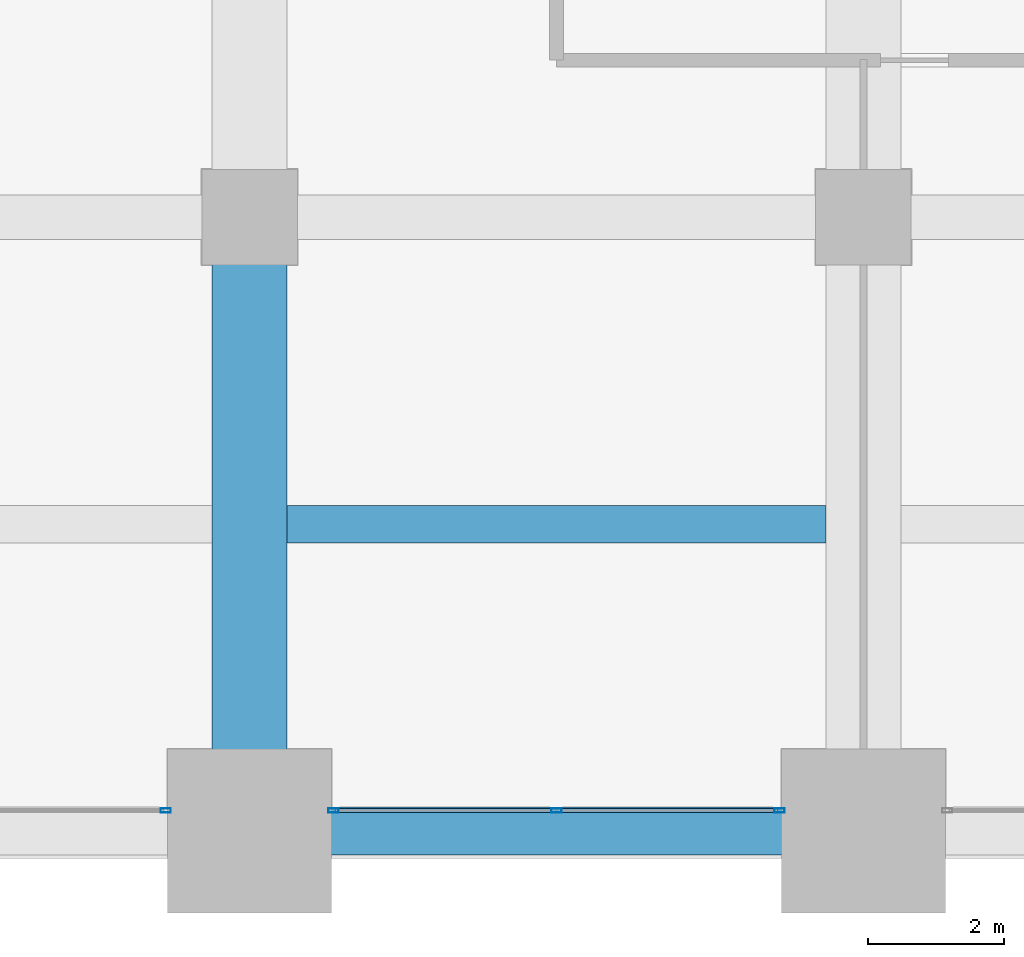
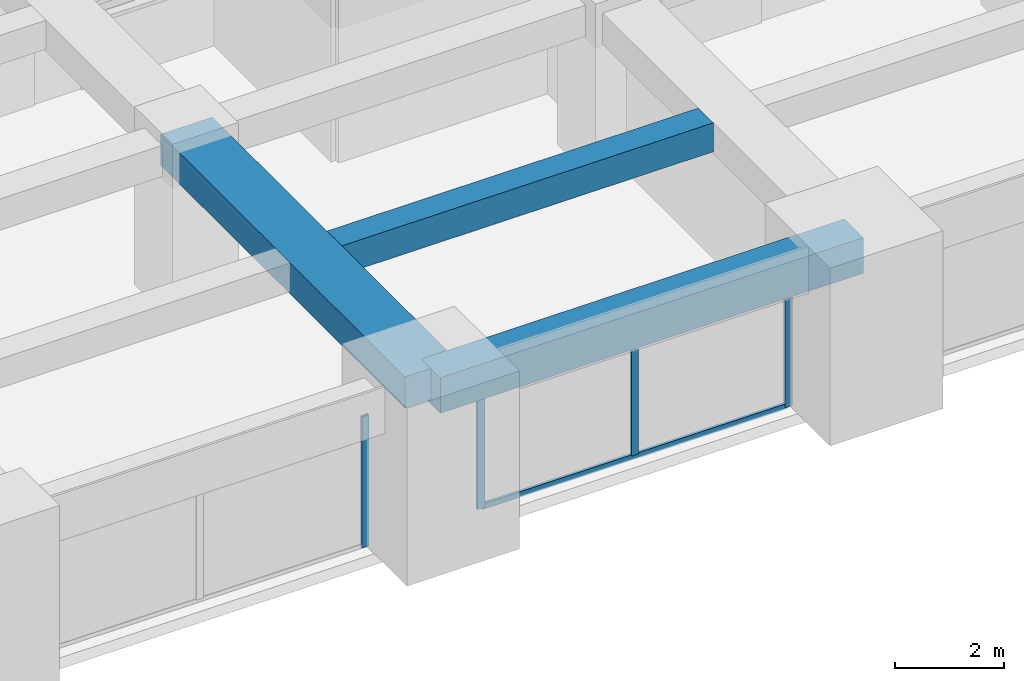
# One storey, part 6 of 32: 5 members, 3 beams, 2 elements without a shape of their own.
"""IFC4 building model written with IfcOpenShell, lengths in metres."""

import ifcopenshell
import ifcopenshell.guid

model = None  # the IFC model being written
_history = None  # IfcOwnerHistory: only IFC2X3 demands one
_inside = {}  # id of a spatial element -> (the spatial element, [elements in it])
_under = {}  # id of a project, library or spatial element -> (it, [spatial elements below it])
_declared = {}  # id of a project -> (the project, [libraries it declares])
_typed = {}  # id of a type object -> (the type object, [elements of that type])
_made_of = {}  # id of a material, layer set ... -> (it, [elements and type objects made of it])


def new_model(schema):
    """Start an empty IFC model of exactly this schema.

    Asked for "IFC4X3", IfcOpenShell would pick the latest addendum, in which some entities
    have other attributes; the version numbers below select the first issue.
    IFC2X3 requires an IfcOwnerHistory on every rooted entity: one is made here for all.
    """
    global model, _history
    if schema == "IFC4X3":
        model = ifcopenshell.file(schema_version=(4, 3, 0, 0))
    else:
        model = ifcopenshell.file(schema=schema)
    _inside.clear()
    _under.clear()
    _declared.clear()
    _typed.clear()
    _made_of.clear()
    _history = None
    if model.schema == "IFC2X3":
        org = make("IfcOrganization", Name="unknown")
        user = make(
            "IfcPersonAndOrganization",
            ThePerson=make("IfcPerson", FamilyName="unknown"),
            TheOrganization=org,
        )
        app = make(
            "IfcApplication",
            ApplicationDeveloper=org,
            Version="unknown",
            ApplicationFullName="unknown",
            ApplicationIdentifier="unknown",
        )
        _history = make(
            "IfcOwnerHistory",
            OwningUser=user,
            OwningApplication=app,
            ChangeAction="ADDED",
            CreationDate=0,
        )
    return model


def make(cls, **values):
    """One entity of the class cls with the attributes given. An attribute that is None is left unset."""
    return model.create_entity(
        cls, **{name: value for name, value in values.items() if value is not None}
    )


def rooted(cls, **values):
    """An entity with a GlobalId (a new one), such as an element, a storey or a relation."""
    return make(cls, GlobalId=ifcopenshell.guid.new(), OwnerHistory=_history, **values)


def si_unit(unit_type, name, prefix=None):
    """IfcSIUnit, for example si_unit("LENGTHUNIT", "METRE", prefix="MILLI")."""
    return make("IfcSIUnit", UnitType=unit_type, Prefix=prefix, Name=name)


def assignment(units):
    """IfcUnitAssignment: the units of a project."""
    return None if units is None else make("IfcUnitAssignment", Units=units)


def point(xyz):
    """IfcCartesianPoint."""
    return None if xyz is None else make("IfcCartesianPoint", Coordinates=xyz)


def direction(xyz):
    """IfcDirection."""
    return None if xyz is None else make("IfcDirection", DirectionRatios=xyz)


def frame(location, z_axis=None, x_axis=None):
    """IfcAxis2Placement3D, a coordinate frame: its origin and axes. An axis left out is left unset."""
    return make(
        "IfcAxis2Placement3D",
        Location=point(location),
        Axis=direction(z_axis),
        RefDirection=direction(x_axis),
    )


def frame_2d(location, x_axis=None):
    """IfcAxis2Placement2D, a coordinate frame in the plane: its origin and x axis."""
    return make(
        "IfcAxis2Placement2D", Location=point(location), RefDirection=direction(x_axis)
    )


def origin():
    """The frame at (0, 0, 0) with its axes left unset."""
    return frame((0.0, 0.0, 0.0))


def origin_2d():
    """The frame at (0, 0) in the plane with its x axis left unset."""
    return frame_2d((0.0, 0.0))


def place(relative_to, where):
    """IfcLocalPlacement: puts the frame where relative to a parent placement (None: the world)."""
    return make(
        "IfcLocalPlacement", PlacementRelTo=relative_to, RelativePlacement=where
    )


def context(
    kind, dimensions, precision=None, world=None, true_north=None, identifier=None
):
    """IfcGeometricRepresentationContext, for example the 3D "Model" context."""
    return make(
        "IfcGeometricRepresentationContext",
        ContextIdentifier=identifier,
        ContextType=kind,
        CoordinateSpaceDimension=dimensions,
        Precision=precision,
        WorldCoordinateSystem=world,
        TrueNorth=true_north,
    )


def subcontext(parent, identifier, kind, view, scale=None):
    """IfcGeometricRepresentationSubContext, for example "Body" below "Model"."""
    return make(
        "IfcGeometricRepresentationSubContext",
        ContextIdentifier=identifier,
        ContextType=kind,
        ParentContext=parent,
        TargetScale=scale,
        TargetView=view,
    )


def project(units=None, contexts=None):
    """IfcProject with its units and contexts."""
    return rooted(
        "IfcProject",
        Name="project",
        RepresentationContexts=contexts,
        UnitsInContext=assignment(units),
    )


def spatial(cls, under=None, at=None, **own):
    """A site, building, storey or space (cls), placed at a placement, below another one or the project."""
    s = rooted(cls, ObjectPlacement=at, **own)
    if under is not None:
        _under.setdefault(under.id(), (under, []))[1].append(s)
    return s


def profile(cls, at=None, kind="AREA", **sizes):
    """A parametric profile (cls). Its sizes go by their IFC names, for example OverallWidth=200.0."""
    return make(cls, ProfileType=kind, Position=at, **sizes)


def rectangle(**sizes):
    """IfcRectangleProfileDef."""
    return profile("IfcRectangleProfileDef", **sizes)


def hollow_rectangle(**sizes):
    """IfcRectangleHollowProfileDef."""
    return profile("IfcRectangleHollowProfileDef", **sizes)


def extrude(swept, where, along, depth):
    """IfcExtrudedAreaSolid: the profile swept, set in the frame where, extruded along a direction by depth."""
    return make(
        "IfcExtrudedAreaSolid",
        SweptArea=swept,
        Position=where,
        ExtrudedDirection=direction(along),
        Depth=depth,
    )


def shape(context_of_items, identifier, shape_type, items):
    """IfcShapeRepresentation: the items that make up one representation, for example the "Body"."""
    return make(
        "IfcShapeRepresentation",
        ContextOfItems=context_of_items,
        RepresentationIdentifier=identifier,
        RepresentationType=shape_type,
        Items=items,
    )


def material(Name=None, Category=None):
    """IfcMaterial."""
    return make("IfcMaterial", Name=Name, Category=Category)


def material_profile(
    of_material, cross_section, Name=None, Category=None, Priority=None
):
    """IfcMaterialProfile: a cross section and its material."""
    return make(
        "IfcMaterialProfile",
        Name=Name,
        Material=of_material,
        Profile=cross_section,
        Priority=Priority,
        Category=Category,
    )


def profile_set(profiles, Name=None, composite=None):
    """IfcMaterialProfileSet."""
    return make(
        "IfcMaterialProfileSet",
        Name=Name,
        MaterialProfiles=profiles,
        CompositeProfile=composite,
    )


def made_of(thing, what):
    """Note that an element or type object is made of a material, layer set ...; save() writes the relation."""
    if what is not None:
        _made_of.setdefault(what.id(), (what, []))[1].append(thing)
    return thing


def type_object(cls, material=None, **own):
    """A type object (cls), such as IfcWallType, which elements share."""
    return made_of(rooted(cls, **own), material)


def element(
    cls,
    number,
    at=None,
    inside=None,
    cuts=None,
    type_object=None,
    material=None,
    context=None,
    identifier="Body",
    shape_type=None,
    held_by="IfcProductDefinitionShape",
    body=None,
    shapes=None,
    **own,
):
    """One element of the class cls, such as IfcWall. Its Tag is "e" and its number.

    at: its placement. inside: the storey or other place that contains it. cuts: it is an
    opening in that element (IfcRelVoidsElement). A single representation is given by context,
    identifier, shape_type and body (its items); several are given by shapes. held_by: the class
    of the entity that holds the representations. save() writes the other relations.
    """
    e = rooted(cls, Tag="e%d" % number, ObjectPlacement=at, **own)
    if body is not None:
        shapes = [shape(context, identifier, shape_type, body)]
    if shapes is not None:
        e.Representation = make(held_by, Representations=shapes)
    if inside is not None:
        _inside.setdefault(inside.id(), (inside, []))[1].append(e)
    if cuts is not None:
        rooted(
            "IfcRelVoidsElement", RelatingBuildingElement=cuts, RelatedOpeningElement=e
        )
    if type_object is not None:
        _typed.setdefault(type_object.id(), (type_object, []))[1].append(e)
    return made_of(e, material)


def aggregate(whole, parts):
    """IfcRelAggregates: a whole, such as a stair, and the parts it consists of."""
    return rooted("IfcRelAggregates", RelatingObject=whole, RelatedObjects=parts)


def save(model, path):
    """Write the relations noted so far, then the file.

    IfcRelAggregates (storeys below a building ...), IfcRelContainedInSpatialStructure (elements
    in a storey), IfcRelDefinesByType, IfcRelAssociatesMaterial and IfcRelDeclares: one each for
    every whole, place, type object, material and project.
    """
    for whole, parts in _under.values():
        aggregate(whole, parts)
    for where, things in _inside.values():
        rooted(
            "IfcRelContainedInSpatialStructure",
            RelatedElements=things,
            RelatingStructure=where,
        )
    for kind, things in _typed.values():
        rooted("IfcRelDefinesByType", RelatedObjects=things, RelatingType=kind)
    for what, things in _made_of.values():
        rooted("IfcRelAssociatesMaterial", RelatedObjects=things, RelatingMaterial=what)
    for by, libraries in _declared.values():
        rooted("IfcRelDeclares", RelatingContext=by, RelatedDefinitions=libraries)
    model.write(path)


model = new_model("IFC4")

# Units and contexts
model_context = context("Model", 3, precision=1e-05, world=origin(), true_north=direction((0.0, 1.0)))
body_context = subcontext(model_context, "Body", "Model", "MODEL_VIEW")
ifc_project = project(units=[si_unit("LENGTHUNIT", "METRE"), si_unit("AREAUNIT", "SQUARE_METRE"), si_unit("VOLUMEUNIT", "CUBIC_METRE"), si_unit("PLANEANGLEUNIT", "RADIAN"), si_unit("MASSUNIT", "GRAM", prefix="KILO")], contexts=[model_context])

# Site, building, storey
site_placement = place(None, origin())
site = spatial("IfcSite", under=ifc_project, at=site_placement, CompositionType="ELEMENT")
building_placement = place(site_placement, origin())
building = spatial("IfcBuilding", under=site, at=building_placement, Name="Zorevar Civic Tower", CompositionType="ELEMENT")
storey_placement = place(building_placement, frame((0.0, 0.0, 198.199951171875)))
storey = spatial("IfcBuildingStorey", under=building, at=storey_placement, Name="L48", CompositionType="ELEMENT", Elevation=198.199951171875)

# Beams
ifc_material_1 = material(Name="Concrete C50/60", Category="concrete")
ifc_material_profile_1 = material_profile(ifc_material_1, rectangle(XDim=1.10009765625, YDim=0.699951171875, at=origin_2d()), Name="RC 1100x700")
ifc_profile_set_1 = profile_set([ifc_material_profile_1], Name="Concrete C50/60")
beam_type_1 = type_object("IfcBeamType", Name="Beam RC 1100x700", PredefinedType="BEAM", material=ifc_profile_set_1)
beam_1_placement = place(storey_placement, frame((18.0, 0.0, 3.400146484375), z_axis=(0.0, 1.0, 0.0), x_axis=(-1.0, 0.0, 0.0)))
element("IfcBeam", 1, at=beam_1_placement, inside=storey, type_object=beam_type_1, Name="Girder L49", PredefinedType="BEAM", context=body_context, shape_type="SweptSolid", body=[
    extrude(rectangle(XDim=1.10009765625, YDim=0.699951171875, at=origin_2d()), origin(), (0.0, 0.0, 1.0), 9.0),
])
ifc_material_2 = material(Name="Concrete C50/60", Category="concrete")
ifc_material_profile_2 = material_profile(ifc_material_2, rectangle(XDim=0.550048828125, YDim=0.64990234375, at=origin_2d()), Name="RC 550x650")
ifc_profile_set_2 = profile_set([ifc_material_profile_2], Name="Concrete C50/60")
beam_type_2 = type_object("IfcBeamType", Name="Beam RC 550x650", PredefinedType="BEAM", material=ifc_profile_set_2)
beam_2_placement = place(storey_placement, frame((18.550048828125, 4.5, 3.425048828125), z_axis=(1.0, 0.0, 0.0), x_axis=(0.0, 1.0, 0.0)))
element("IfcBeam", 2, at=beam_2_placement, inside=storey, type_object=beam_type_2, Name="Secondary beam L49", PredefinedType="BEAM", context=body_context, shape_type="SweptSolid", body=[
    extrude(rectangle(XDim=0.550048828125, YDim=0.64990234375, at=origin_2d()), origin(), (0.0, 0.0, 1.0), 7.89990234375),
])

# Curtain wall, member
ifc_material_3 = material(Name="Dark grey solar-control glass in black aluminium frame", Category="aluminium")
curtain_wall_type = type_object("IfcCurtainWallType", Name="Curtain wall CW4 high zone", PredefinedType="NOTDEFINED", material=ifc_material_3)
curtain_wall_1_placement = place(storey_placement, origin())
curtain_wall_1 = element("IfcCurtainWall", 3, at=curtain_wall_1_placement, inside=storey, type_object=curtain_wall_type, Name="CW4 L48", PredefinedType="NOTDEFINED")
ifc_material_4 = material(Name="Aluminium, black anodised", Category="aluminium")
ifc_material_profile_3 = material_profile(ifc_material_4, hollow_rectangle(XDim=0.06005859375, YDim=0.14990234375, WallThickness=0.00390625, at=origin_2d()), Name="AL 150x60x4")
ifc_profile_set_3 = profile_set([ifc_material_profile_3], Name="Aluminium, black anodised")
member_type_1 = type_object("IfcMemberType", Name="CW4 mullion AL 150x60x4", PredefinedType="MULLION", material=ifc_profile_set_3)
member_1_placement = place(storey_placement, frame((16.77001953125, 0.300048828125, 0.0), z_axis=(0.0, 0.0, 1.0), x_axis=(0.0, 1.0, 0.0)))
member_1 = element("IfcMember", 4, at=member_1_placement, type_object=member_type_1, Name="CW4 mullion 3", PredefinedType="MULLION", context=body_context, shape_type="SweptSolid", body=[
    extrude(hollow_rectangle(XDim=0.06005859375, YDim=0.14990234375, WallThickness=0.00390625, at=origin_2d()), origin(), (0.0, 0.0, 1.0), 2.949951171875),
])
aggregate(curtain_wall_1, [member_1])

# Curtain wall, members
curtain_wall_2_placement = place(storey_placement, origin())
curtain_wall_2 = element("IfcCurtainWall", 5, at=curtain_wall_2_placement, inside=storey, type_object=curtain_wall_type, Name="CW4 L48", PredefinedType="NOTDEFINED")
member_2_placement = place(storey_placement, frame((19.22998046875, 0.300048828125, 0.0), z_axis=(0.0, 0.0, 1.0), x_axis=(0.0, 1.0, 0.0)))
member_2 = element("IfcMember", 6, at=member_2_placement, type_object=member_type_1, Name="CW4 mullion 1", PredefinedType="MULLION", context=body_context, shape_type="SweptSolid", body=[
    extrude(hollow_rectangle(XDim=0.06005859375, YDim=0.14990234375, WallThickness=0.00390625, at=origin_2d()), origin(), (0.0, 0.0, 1.0), 2.949951171875),
])
member_3_placement = place(storey_placement, frame((22.5, 0.300048828125, 0.06005859375), z_axis=(0.0, 0.0, 1.0), x_axis=(0.0, 1.0, 0.0)))
member_3 = element("IfcMember", 7, at=member_3_placement, type_object=member_type_1, Name="CW4 mullion 2", PredefinedType="MULLION", context=body_context, shape_type="SweptSolid", body=[
    extrude(hollow_rectangle(XDim=0.06005859375, YDim=0.14990234375, WallThickness=0.00390625, at=origin_2d()), origin(), (0.0, 0.0, 1.0), 2.889892578125),
])
member_4_placement = place(storey_placement, frame((25.77001953125, 0.300048828125, 0.0), z_axis=(0.0, 0.0, 1.0), x_axis=(0.0, 1.0, 0.0)))
member_4 = element("IfcMember", 8, at=member_4_placement, type_object=member_type_1, Name="CW4 mullion 3", PredefinedType="MULLION", context=body_context, shape_type="SweptSolid", body=[
    extrude(hollow_rectangle(XDim=0.06005859375, YDim=0.14990234375, WallThickness=0.00390625, at=origin_2d()), origin(), (0.0, 0.0, 1.0), 2.949951171875),
])
ifc_material_5 = material(Name="Aluminium, black anodised", Category="aluminium")
ifc_material_profile_4 = material_profile(ifc_material_5, hollow_rectangle(XDim=0.06005859375, YDim=0.1201171875, WallThickness=0.0029296875, at=origin_2d()), Name="AL 120x60x3")
ifc_profile_set_4 = profile_set([ifc_material_profile_4], Name="Aluminium, black anodised")
member_type_2 = type_object("IfcMemberType", Name="CW4 transom AL 120x60x3", PredefinedType="USERDEFINED", material=ifc_profile_set_4)
member_5_placement = place(storey_placement, frame((19.260009765625, 0.300048828125, 0.030029296875), z_axis=(1.0, 0.0, 0.0), x_axis=(0.0, 1.0, 0.0)))
member_5 = element("IfcMember", 9, at=member_5_placement, type_object=member_type_2, Name="CW4 sill transom", ObjectType="TRANSOM", PredefinedType="USERDEFINED", context=body_context, shape_type="SweptSolid", body=[
    extrude(hollow_rectangle(XDim=0.06005859375, YDim=0.1201171875, WallThickness=0.0029296875, at=origin_2d()), origin(), (0.0, 0.0, 1.0), 6.47998046875),
])
aggregate(curtain_wall_2, [member_2, member_3, member_4, member_5])

# Beam
ifc_material_6 = material(Name="Concrete C50/60", Category="concrete")
ifc_material_profile_5 = material_profile(ifc_material_6, rectangle(XDim=0.699951171875, YDim=0.800048828125, at=origin_2d()), Name="RC 700x800")
ifc_profile_set_5 = profile_set([ifc_material_profile_5], Name="Concrete C50/60")
beam_type_3 = type_object("IfcBeamType", Name="Edge beam RC 700x800", PredefinedType="SPANDREL", material=ifc_profile_set_5)
beam_3_placement = place(storey_placement, frame((18.0, 0.0, 3.35009765625), z_axis=(1.0, 0.0, 0.0), x_axis=(0.0, 1.0, 0.0)))
element("IfcBeam", 10, at=beam_3_placement, inside=storey, type_object=beam_type_3, Name="Edge beam L49", PredefinedType="SPANDREL", context=body_context, shape_type="SweptSolid", body=[
    extrude(rectangle(XDim=0.699951171875, YDim=0.800048828125, at=origin_2d()), origin(), (0.0, 0.0, 1.0), 9.0),
])

save(model, "model.ifc")
